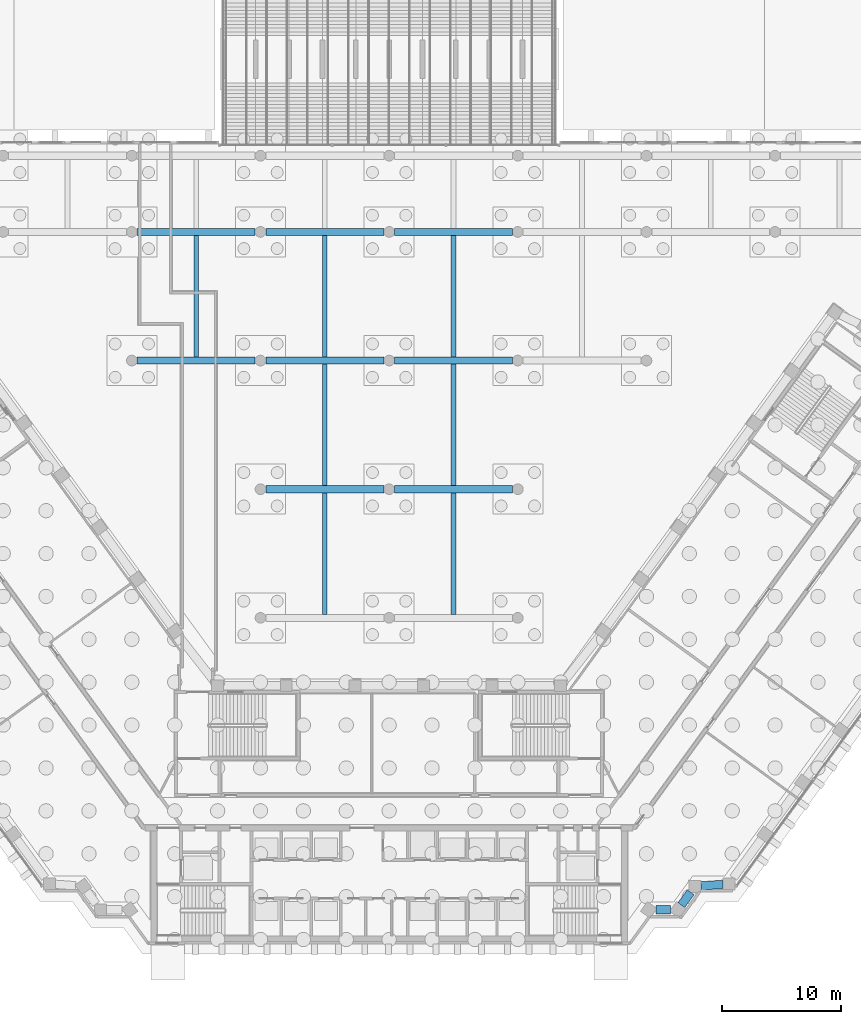
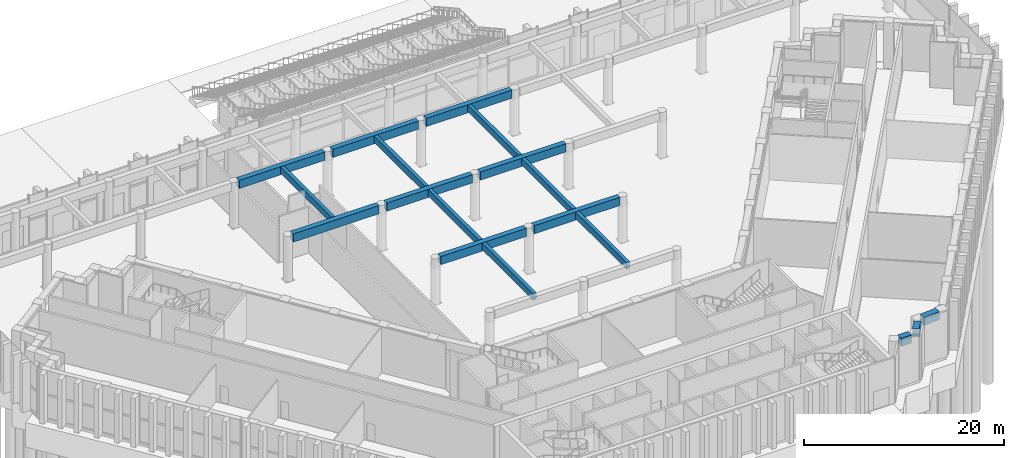
# One storey, part 7 of 32: 18 beams.
"""IFC4 building model written with IfcOpenShell, lengths in metres."""

import ifcopenshell
import ifcopenshell.guid

model = None  # the IFC model being written
_history = None  # IfcOwnerHistory: only IFC2X3 demands one
_inside = {}  # id of a spatial element -> (the spatial element, [elements in it])
_under = {}  # id of a project, library or spatial element -> (it, [spatial elements below it])
_declared = {}  # id of a project -> (the project, [libraries it declares])
_typed = {}  # id of a type object -> (the type object, [elements of that type])
_made_of = {}  # id of a material, layer set ... -> (it, [elements and type objects made of it])


def new_model(schema):
    """Start an empty IFC model of exactly this schema.

    Asked for "IFC4X3", IfcOpenShell would pick the latest addendum, in which some entities
    have other attributes; the version numbers below select the first issue.
    IFC2X3 requires an IfcOwnerHistory on every rooted entity: one is made here for all.
    """
    global model, _history
    if schema == "IFC4X3":
        model = ifcopenshell.file(schema_version=(4, 3, 0, 0))
    else:
        model = ifcopenshell.file(schema=schema)
    _inside.clear()
    _under.clear()
    _declared.clear()
    _typed.clear()
    _made_of.clear()
    _history = None
    if model.schema == "IFC2X3":
        org = make("IfcOrganization", Name="unknown")
        user = make(
            "IfcPersonAndOrganization",
            ThePerson=make("IfcPerson", FamilyName="unknown"),
            TheOrganization=org,
        )
        app = make(
            "IfcApplication",
            ApplicationDeveloper=org,
            Version="unknown",
            ApplicationFullName="unknown",
            ApplicationIdentifier="unknown",
        )
        _history = make(
            "IfcOwnerHistory",
            OwningUser=user,
            OwningApplication=app,
            ChangeAction="ADDED",
            CreationDate=0,
        )
    return model


def make(cls, **values):
    """One entity of the class cls with the attributes given. An attribute that is None is left unset."""
    return model.create_entity(
        cls, **{name: value for name, value in values.items() if value is not None}
    )


def rooted(cls, **values):
    """An entity with a GlobalId (a new one), such as an element, a storey or a relation."""
    return make(cls, GlobalId=ifcopenshell.guid.new(), OwnerHistory=_history, **values)


def si_unit(unit_type, name, prefix=None):
    """IfcSIUnit, for example si_unit("LENGTHUNIT", "METRE", prefix="MILLI")."""
    return make("IfcSIUnit", UnitType=unit_type, Prefix=prefix, Name=name)


def assignment(units):
    """IfcUnitAssignment: the units of a project."""
    return None if units is None else make("IfcUnitAssignment", Units=units)


def point(xyz):
    """IfcCartesianPoint."""
    return None if xyz is None else make("IfcCartesianPoint", Coordinates=xyz)


def direction(xyz):
    """IfcDirection."""
    return None if xyz is None else make("IfcDirection", DirectionRatios=xyz)


def frame(location, z_axis=None, x_axis=None):
    """IfcAxis2Placement3D, a coordinate frame: its origin and axes. An axis left out is left unset."""
    return make(
        "IfcAxis2Placement3D",
        Location=point(location),
        Axis=direction(z_axis),
        RefDirection=direction(x_axis),
    )


def frame_2d(location, x_axis=None):
    """IfcAxis2Placement2D, a coordinate frame in the plane: its origin and x axis."""
    return make(
        "IfcAxis2Placement2D", Location=point(location), RefDirection=direction(x_axis)
    )


def origin():
    """The frame at (0, 0, 0) with its axes left unset."""
    return frame((0.0, 0.0, 0.0))


def origin_2d():
    """The frame at (0, 0) in the plane with its x axis left unset."""
    return frame_2d((0.0, 0.0))


def place(relative_to, where):
    """IfcLocalPlacement: puts the frame where relative to a parent placement (None: the world)."""
    return make(
        "IfcLocalPlacement", PlacementRelTo=relative_to, RelativePlacement=where
    )


def context(
    kind, dimensions, precision=None, world=None, true_north=None, identifier=None
):
    """IfcGeometricRepresentationContext, for example the 3D "Model" context."""
    return make(
        "IfcGeometricRepresentationContext",
        ContextIdentifier=identifier,
        ContextType=kind,
        CoordinateSpaceDimension=dimensions,
        Precision=precision,
        WorldCoordinateSystem=world,
        TrueNorth=true_north,
    )


def subcontext(parent, identifier, kind, view, scale=None):
    """IfcGeometricRepresentationSubContext, for example "Body" below "Model"."""
    return make(
        "IfcGeometricRepresentationSubContext",
        ContextIdentifier=identifier,
        ContextType=kind,
        ParentContext=parent,
        TargetScale=scale,
        TargetView=view,
    )


def project(units=None, contexts=None):
    """IfcProject with its units and contexts."""
    return rooted(
        "IfcProject",
        Name="project",
        RepresentationContexts=contexts,
        UnitsInContext=assignment(units),
    )


def spatial(cls, under=None, at=None, **own):
    """A site, building, storey or space (cls), placed at a placement, below another one or the project."""
    s = rooted(cls, ObjectPlacement=at, **own)
    if under is not None:
        _under.setdefault(under.id(), (under, []))[1].append(s)
    return s


def profile(cls, at=None, kind="AREA", **sizes):
    """A parametric profile (cls). Its sizes go by their IFC names, for example OverallWidth=200.0."""
    return make(cls, ProfileType=kind, Position=at, **sizes)


def rectangle(**sizes):
    """IfcRectangleProfileDef."""
    return profile("IfcRectangleProfileDef", **sizes)


def extrude(swept, where, along, depth):
    """IfcExtrudedAreaSolid: the profile swept, set in the frame where, extruded along a direction by depth."""
    return make(
        "IfcExtrudedAreaSolid",
        SweptArea=swept,
        Position=where,
        ExtrudedDirection=direction(along),
        Depth=depth,
    )


def shape(context_of_items, identifier, shape_type, items):
    """IfcShapeRepresentation: the items that make up one representation, for example the "Body"."""
    return make(
        "IfcShapeRepresentation",
        ContextOfItems=context_of_items,
        RepresentationIdentifier=identifier,
        RepresentationType=shape_type,
        Items=items,
    )


def material(Name=None, Category=None):
    """IfcMaterial."""
    return make("IfcMaterial", Name=Name, Category=Category)


def material_profile(
    of_material, cross_section, Name=None, Category=None, Priority=None
):
    """IfcMaterialProfile: a cross section and its material."""
    return make(
        "IfcMaterialProfile",
        Name=Name,
        Material=of_material,
        Profile=cross_section,
        Priority=Priority,
        Category=Category,
    )


def profile_set(profiles, Name=None, composite=None):
    """IfcMaterialProfileSet."""
    return make(
        "IfcMaterialProfileSet",
        Name=Name,
        MaterialProfiles=profiles,
        CompositeProfile=composite,
    )


def made_of(thing, what):
    """Note that an element or type object is made of a material, layer set ...; save() writes the relation."""
    if what is not None:
        _made_of.setdefault(what.id(), (what, []))[1].append(thing)
    return thing


def type_object(cls, material=None, **own):
    """A type object (cls), such as IfcWallType, which elements share."""
    return made_of(rooted(cls, **own), material)


def element(
    cls,
    number,
    at=None,
    inside=None,
    cuts=None,
    type_object=None,
    material=None,
    context=None,
    identifier="Body",
    shape_type=None,
    held_by="IfcProductDefinitionShape",
    body=None,
    shapes=None,
    **own,
):
    """One element of the class cls, such as IfcWall. Its Tag is "e" and its number.

    at: its placement. inside: the storey or other place that contains it. cuts: it is an
    opening in that element (IfcRelVoidsElement). A single representation is given by context,
    identifier, shape_type and body (its items); several are given by shapes. held_by: the class
    of the entity that holds the representations. save() writes the other relations.
    """
    e = rooted(cls, Tag="e%d" % number, ObjectPlacement=at, **own)
    if body is not None:
        shapes = [shape(context, identifier, shape_type, body)]
    if shapes is not None:
        e.Representation = make(held_by, Representations=shapes)
    if inside is not None:
        _inside.setdefault(inside.id(), (inside, []))[1].append(e)
    if cuts is not None:
        rooted(
            "IfcRelVoidsElement", RelatingBuildingElement=cuts, RelatedOpeningElement=e
        )
    if type_object is not None:
        _typed.setdefault(type_object.id(), (type_object, []))[1].append(e)
    return made_of(e, material)


def aggregate(whole, parts):
    """IfcRelAggregates: a whole, such as a stair, and the parts it consists of."""
    return rooted("IfcRelAggregates", RelatingObject=whole, RelatedObjects=parts)


def save(model, path):
    """Write the relations noted so far, then the file.

    IfcRelAggregates (storeys below a building ...), IfcRelContainedInSpatialStructure (elements
    in a storey), IfcRelDefinesByType, IfcRelAssociatesMaterial and IfcRelDeclares: one each for
    every whole, place, type object, material and project.
    """
    for whole, parts in _under.values():
        aggregate(whole, parts)
    for where, things in _inside.values():
        rooted(
            "IfcRelContainedInSpatialStructure",
            RelatedElements=things,
            RelatingStructure=where,
        )
    for kind, things in _typed.values():
        rooted("IfcRelDefinesByType", RelatedObjects=things, RelatingType=kind)
    for what, things in _made_of.values():
        rooted("IfcRelAssociatesMaterial", RelatedObjects=things, RelatingMaterial=what)
    for by, libraries in _declared.values():
        rooted("IfcRelDeclares", RelatingContext=by, RelatedDefinitions=libraries)
    model.write(path)


model = new_model("IFC4")

# Units and contexts
model_context = context("Model", 3, precision=1e-05, world=origin(), true_north=direction((0.0, 1.0)))
body_context = subcontext(model_context, "Body", "Model", "MODEL_VIEW")
ifc_project = project(units=[si_unit("LENGTHUNIT", "METRE"), si_unit("AREAUNIT", "SQUARE_METRE"), si_unit("VOLUMEUNIT", "CUBIC_METRE"), si_unit("PLANEANGLEUNIT", "RADIAN"), si_unit("MASSUNIT", "GRAM", prefix="KILO")], contexts=[model_context])

# Site, building, storey
site_placement = place(None, origin())
site = spatial("IfcSite", under=ifc_project, at=site_placement, CompositionType="ELEMENT")
building_placement = place(site_placement, origin())
building = spatial("IfcBuilding", under=site, at=building_placement, Name="Quipu Civic Tower", CompositionType="ELEMENT")
storey_placement = place(building_placement, origin())
storey = spatial("IfcBuildingStorey", under=building, at=storey_placement, Name="L00", CompositionType="ELEMENT", Elevation=0.0)

# Beams
ifc_material_1 = material(Name="Concrete C50/60", Category="concrete")
ifc_material_profile_1 = material_profile(ifc_material_1, rectangle(XDim=0.39990234375, YDim=0.800048828125, at=origin_2d()), Name="RC400x800")
ifc_profile_set_1 = profile_set([ifc_material_profile_1], Name="Concrete C50/60")
beam_type_1 = type_object("IfcBeamType", Name="Deck beam RC 400x800 C50/60", PredefinedType="BEAM", material=ifc_profile_set_1)
for number, where, z_axis, x_axis, name in (
    (1, (-5.39990234375, 16.5, 5.199951171875), (0.0, 1.0, 0.0), (-1.0, 0.0, 0.0), "Deck beam -1 16"),
    (2, (5.39990234375, 16.5, 5.199951171875), (0.0, 1.0, 0.0), (-1.0, 0.0, 0.0), "Deck beam 1 16"),
    (3, (-5.39990234375, 27.300048828125, 5.199951171875), (0.0, 1.0, 0.0), (-1.0, 0.0, 0.0), "Deck beam -1 27"),
    (4, (5.39990234375, 27.300048828125, 5.199951171875), (0.0, 1.0, 0.0), (-1.0, 0.0, 0.0), "Deck beam 1 27"),
    (5, (-16.199951171875, 38.10009765625, 5.199951171875), (0.0, 1.0, 0.0), (-1.0, 0.0, 0.0), "Deck beam -3 38"),
    (6, (-5.39990234375, 38.10009765625, 5.199951171875), (0.0, 1.0, 0.0), (-1.0, 0.0, 0.0), "Deck beam -1 38"),
    (7, (5.39990234375, 38.10009765625, 5.199951171875), (0.0, 1.0, 0.0), (-1.0, 0.0, 0.0), "Deck beam 1 38"),
):
    element("IfcBeam", number, at=place(storey_placement, frame(where, z_axis=z_axis, x_axis=x_axis)), inside=storey, type_object=beam_type_1, Name=name, PredefinedType="BEAM", context=body_context, shape_type="SweptSolid", body=[
        extrude(rectangle(XDim=0.39990234375, YDim=0.800048828125, at=origin_2d()), origin(), (0.0, 0.0, 1.0), 10.199951171875),
    ])
ifc_material_2 = material(Name="Concrete C50/60", Category="concrete")
ifc_material_profile_2 = material_profile(ifc_material_2, rectangle(XDim=0.60009765625, YDim=1.0, at=origin_2d()), Name="RC600x1000")
ifc_profile_set_2 = profile_set([ifc_material_profile_2], Name="Concrete C50/60")
beam_type_2 = type_object("IfcBeamType", Name="Deck girder RC 600x1000 C50/60", PredefinedType="BEAM", material=ifc_profile_set_2)
for number, where, z_axis, x_axis, name in (
    (8, (-10.35009765625, 27.0, 5.10009765625), (1.0, 0.0, 0.0), (0.0, 1.0, 0.0), "Deck girder -2 27"),
    (9, (0.449951171875, 27.0, 5.10009765625), (1.0, 0.0, 0.0), (0.0, 1.0, 0.0), "Deck girder 0 27"),
):
    element("IfcBeam", number, at=place(storey_placement, frame(where, z_axis=z_axis, x_axis=x_axis)), inside=storey, type_object=beam_type_2, Name=name, PredefinedType="BEAM", context=body_context, shape_type="SweptSolid", body=[
        extrude(rectangle(XDim=0.60009765625, YDim=1.0, at=origin_2d()), origin(), (0.0, 0.0, 1.0), 9.900146484375),
    ])
beam_1_placement = place(storey_placement, frame((-21.14990234375, 37.800048828125, 5.10009765625), z_axis=(1.0, 0.0, 0.0), x_axis=(0.0, 1.0, 0.0)))
element("IfcBeam", 10, at=beam_1_placement, inside=storey, type_object=beam_type_2, Name="Deck girder -4 38", PredefinedType="BEAM", context=body_context, shape_type="SweptSolid", body=[
    extrude(rectangle(XDim=0.60009765625, YDim=1.0, at=origin_2d()), origin(), (0.0, 0.0, 1.0), 9.89990234375),
])
for number, where, z_axis, x_axis, name in (
    (11, (-10.35009765625, 37.800048828125, 5.10009765625), (1.0, 0.0, 0.0), (0.0, 1.0, 0.0), "Deck girder -2 38"),
    (12, (0.449951171875, 37.800048828125, 5.10009765625), (1.0, 0.0, 0.0), (0.0, 1.0, 0.0), "Deck girder 0 38"),
):
    element("IfcBeam", number, at=place(storey_placement, frame(where, z_axis=z_axis, x_axis=x_axis)), inside=storey, type_object=beam_type_2, Name=name, PredefinedType="BEAM", context=body_context, shape_type="SweptSolid", body=[
        extrude(rectangle(XDim=0.60009765625, YDim=1.0, at=origin_2d()), origin(), (0.0, 0.0, 1.0), 9.900146484375),
    ])
beam_2_placement = place(storey_placement, frame((-21.14990234375, 48.60009765625, 5.10009765625), z_axis=(1.0, 0.0, 0.0), x_axis=(0.0, 1.0, 0.0)))
element("IfcBeam", 13, at=beam_2_placement, inside=storey, type_object=beam_type_2, Name="Deck girder -4 49", PredefinedType="BEAM", context=body_context, shape_type="SweptSolid", body=[
    extrude(rectangle(XDim=0.60009765625, YDim=1.0, at=origin_2d()), origin(), (0.0, 0.0, 1.0), 9.89990234375),
])
for number, where, z_axis, x_axis, name in (
    (14, (-10.35009765625, 48.60009765625, 5.10009765625), (1.0, 0.0, 0.0), (0.0, 1.0, 0.0), "Deck girder -2 49"),
    (15, (0.449951171875, 48.60009765625, 5.10009765625), (1.0, 0.0, 0.0), (0.0, 1.0, 0.0), "Deck girder 0 49"),
):
    element("IfcBeam", number, at=place(storey_placement, frame(where, z_axis=z_axis, x_axis=x_axis)), inside=storey, type_object=beam_type_2, Name=name, PredefinedType="BEAM", context=body_context, shape_type="SweptSolid", body=[
        extrude(rectangle(XDim=0.60009765625, YDim=1.0, at=origin_2d()), origin(), (0.0, 0.0, 1.0), 9.900146484375),
    ])
ifc_material_3 = material(Name="Concrete C50/60", Category="concrete")
ifc_material_profile_3 = material_profile(ifc_material_3, rectangle(XDim=0.699951171875, YDim=1.0, at=origin_2d()), Name="RC700x1000")
ifc_profile_set_3 = profile_set([ifc_material_profile_3], Name="Concrete C50/60")
beam_type_3 = type_object("IfcBeamType", Name="Spandrel beam RC 700x1000 C50/60", PredefinedType="SPANDREL", material=ifc_profile_set_3)
beam_3_placement = place(storey_placement, frame((22.409912109375, -8.31494140625, 5.10009765625), z_axis=(1.0, 0.0, 0.0), x_axis=(0.0, 1.0, 0.0)))
element("IfcBeam", 16, at=beam_3_placement, inside=storey, type_object=beam_type_3, Name="Spandrel beam L00 J-Eo.1 to J-Eo.2", PredefinedType="SPANDREL", context=body_context, shape_type="SweptSolid", body=[
    extrude(rectangle(XDim=0.699951171875, YDim=1.0, at=origin_2d()), origin(), (0.0, 0.0, 1.0), 1.20703125),
])
beam_4_placement = place(storey_placement, frame((24.529296875, -7.91064453125, 5.10009765625), z_axis=(0.588346597772, 0.808608855313, 0.0), x_axis=(-0.808608855313, 0.588346597772, 0.0)))
element("IfcBeam", 17, at=beam_4_placement, inside=storey, type_object=beam_type_3, Name="Spandrel beam L00 J-Eo.2 to J-Eo.3", PredefinedType="SPANDREL", context=body_context, shape_type="SweptSolid", body=[
    extrude(rectangle(XDim=0.699951171875, YDim=1.0, at=origin_2d()), origin(), (0.0, 0.0, 1.0), 1.327880859375),
])
beam_5_placement = place(storey_placement, frame((26.17431640625, -6.30078125, 5.10009765625), z_axis=(0.997368412419, 0.072499999372, 0.0), x_axis=(-0.072499999372, 0.997368412419, 0.0)))
element("IfcBeam", 18, at=beam_5_placement, inside=storey, type_object=beam_type_3, Name="Spandrel beam L00 J-Eo.3 to J-Eo.4", PredefinedType="SPANDREL", context=body_context, shape_type="SweptSolid", body=[
    extrude(rectangle(XDim=0.699951171875, YDim=1.0, at=origin_2d()), origin(), (0.0, 0.0, 1.0), 1.85546875),
])

save(model, "model.ifc")
